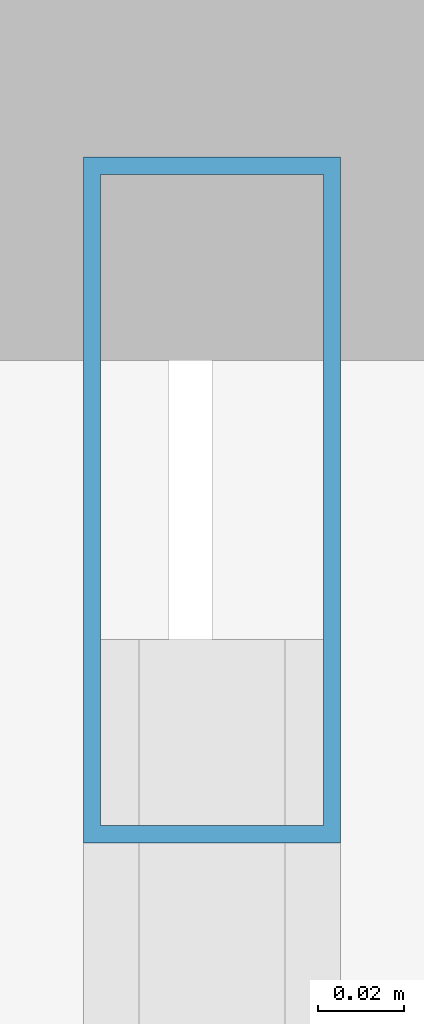
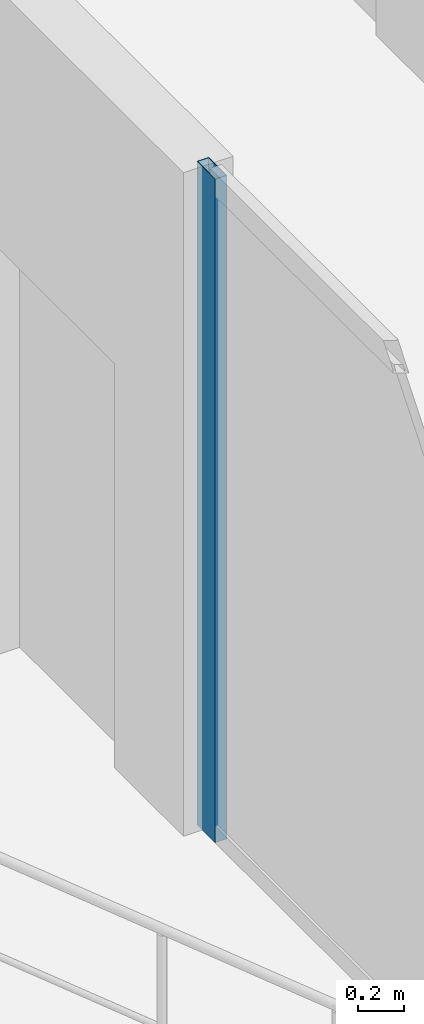
# One storey, part 9 of 17: 1 member, 1 element without a shape of its own.
"""IFC4 building model written with IfcOpenShell, lengths in metres."""

import ifcopenshell
import ifcopenshell.guid

model = None  # the IFC model being written
_history = None  # IfcOwnerHistory: only IFC2X3 demands one
_inside = {}  # id of a spatial element -> (the spatial element, [elements in it])
_under = {}  # id of a project, library or spatial element -> (it, [spatial elements below it])
_declared = {}  # id of a project -> (the project, [libraries it declares])
_typed = {}  # id of a type object -> (the type object, [elements of that type])
_made_of = {}  # id of a material, layer set ... -> (it, [elements and type objects made of it])


def new_model(schema):
    """Start an empty IFC model of exactly this schema.

    Asked for "IFC4X3", IfcOpenShell would pick the latest addendum, in which some entities
    have other attributes; the version numbers below select the first issue.
    IFC2X3 requires an IfcOwnerHistory on every rooted entity: one is made here for all.
    """
    global model, _history
    if schema == "IFC4X3":
        model = ifcopenshell.file(schema_version=(4, 3, 0, 0))
    else:
        model = ifcopenshell.file(schema=schema)
    _inside.clear()
    _under.clear()
    _declared.clear()
    _typed.clear()
    _made_of.clear()
    _history = None
    if model.schema == "IFC2X3":
        org = make("IfcOrganization", Name="unknown")
        user = make(
            "IfcPersonAndOrganization",
            ThePerson=make("IfcPerson", FamilyName="unknown"),
            TheOrganization=org,
        )
        app = make(
            "IfcApplication",
            ApplicationDeveloper=org,
            Version="unknown",
            ApplicationFullName="unknown",
            ApplicationIdentifier="unknown",
        )
        _history = make(
            "IfcOwnerHistory",
            OwningUser=user,
            OwningApplication=app,
            ChangeAction="ADDED",
            CreationDate=0,
        )
    return model


def make(cls, **values):
    """One entity of the class cls with the attributes given. An attribute that is None is left unset."""
    return model.create_entity(
        cls, **{name: value for name, value in values.items() if value is not None}
    )


def rooted(cls, **values):
    """An entity with a GlobalId (a new one), such as an element, a storey or a relation."""
    return make(cls, GlobalId=ifcopenshell.guid.new(), OwnerHistory=_history, **values)


def si_unit(unit_type, name, prefix=None):
    """IfcSIUnit, for example si_unit("LENGTHUNIT", "METRE", prefix="MILLI")."""
    return make("IfcSIUnit", UnitType=unit_type, Prefix=prefix, Name=name)


def assignment(units):
    """IfcUnitAssignment: the units of a project."""
    return None if units is None else make("IfcUnitAssignment", Units=units)


def point(xyz):
    """IfcCartesianPoint."""
    return None if xyz is None else make("IfcCartesianPoint", Coordinates=xyz)


def direction(xyz):
    """IfcDirection."""
    return None if xyz is None else make("IfcDirection", DirectionRatios=xyz)


def frame(location, z_axis=None, x_axis=None):
    """IfcAxis2Placement3D, a coordinate frame: its origin and axes. An axis left out is left unset."""
    return make(
        "IfcAxis2Placement3D",
        Location=point(location),
        Axis=direction(z_axis),
        RefDirection=direction(x_axis),
    )


def frame_2d(location, x_axis=None):
    """IfcAxis2Placement2D, a coordinate frame in the plane: its origin and x axis."""
    return make(
        "IfcAxis2Placement2D", Location=point(location), RefDirection=direction(x_axis)
    )


def origin():
    """The frame at (0, 0, 0) with its axes left unset."""
    return frame((0.0, 0.0, 0.0))


def origin_2d():
    """The frame at (0, 0) in the plane with its x axis left unset."""
    return frame_2d((0.0, 0.0))


def place(relative_to, where):
    """IfcLocalPlacement: puts the frame where relative to a parent placement (None: the world)."""
    return make(
        "IfcLocalPlacement", PlacementRelTo=relative_to, RelativePlacement=where
    )


def context(
    kind, dimensions, precision=None, world=None, true_north=None, identifier=None
):
    """IfcGeometricRepresentationContext, for example the 3D "Model" context."""
    return make(
        "IfcGeometricRepresentationContext",
        ContextIdentifier=identifier,
        ContextType=kind,
        CoordinateSpaceDimension=dimensions,
        Precision=precision,
        WorldCoordinateSystem=world,
        TrueNorth=true_north,
    )


def subcontext(parent, identifier, kind, view, scale=None):
    """IfcGeometricRepresentationSubContext, for example "Body" below "Model"."""
    return make(
        "IfcGeometricRepresentationSubContext",
        ContextIdentifier=identifier,
        ContextType=kind,
        ParentContext=parent,
        TargetScale=scale,
        TargetView=view,
    )


def project(units=None, contexts=None):
    """IfcProject with its units and contexts."""
    return rooted(
        "IfcProject",
        Name="project",
        RepresentationContexts=contexts,
        UnitsInContext=assignment(units),
    )


def spatial(cls, under=None, at=None, **own):
    """A site, building, storey or space (cls), placed at a placement, below another one or the project."""
    s = rooted(cls, ObjectPlacement=at, **own)
    if under is not None:
        _under.setdefault(under.id(), (under, []))[1].append(s)
    return s


def profile(cls, at=None, kind="AREA", **sizes):
    """A parametric profile (cls). Its sizes go by their IFC names, for example OverallWidth=200.0."""
    return make(cls, ProfileType=kind, Position=at, **sizes)


def hollow_rectangle(**sizes):
    """IfcRectangleHollowProfileDef."""
    return profile("IfcRectangleHollowProfileDef", **sizes)


def extrude(swept, where, along, depth):
    """IfcExtrudedAreaSolid: the profile swept, set in the frame where, extruded along a direction by depth."""
    return make(
        "IfcExtrudedAreaSolid",
        SweptArea=swept,
        Position=where,
        ExtrudedDirection=direction(along),
        Depth=depth,
    )


def shape(context_of_items, identifier, shape_type, items):
    """IfcShapeRepresentation: the items that make up one representation, for example the "Body"."""
    return make(
        "IfcShapeRepresentation",
        ContextOfItems=context_of_items,
        RepresentationIdentifier=identifier,
        RepresentationType=shape_type,
        Items=items,
    )


def material(Name=None, Category=None):
    """IfcMaterial."""
    return make("IfcMaterial", Name=Name, Category=Category)


def layer(
    of_material, thickness, ventilated=None, Name=None, Category=None, Priority=None
):
    """IfcMaterialLayer: one layer of a wall or slab, of a material (None: an air gap)."""
    return make(
        "IfcMaterialLayer",
        Material=of_material,
        LayerThickness=thickness,
        IsVentilated=ventilated,
        Name=Name,
        Category=Category,
        Priority=Priority,
    )


def layer_set(layers, Name=None):
    """IfcMaterialLayerSet."""
    return make("IfcMaterialLayerSet", MaterialLayers=layers, LayerSetName=Name)


def material_profile(
    of_material, cross_section, Name=None, Category=None, Priority=None
):
    """IfcMaterialProfile: a cross section and its material."""
    return make(
        "IfcMaterialProfile",
        Name=Name,
        Material=of_material,
        Profile=cross_section,
        Priority=Priority,
        Category=Category,
    )


def profile_set(profiles, Name=None, composite=None):
    """IfcMaterialProfileSet."""
    return make(
        "IfcMaterialProfileSet",
        Name=Name,
        MaterialProfiles=profiles,
        CompositeProfile=composite,
    )


def made_of(thing, what):
    """Note that an element or type object is made of a material, layer set ...; save() writes the relation."""
    if what is not None:
        _made_of.setdefault(what.id(), (what, []))[1].append(thing)
    return thing


def type_object(cls, material=None, **own):
    """A type object (cls), such as IfcWallType, which elements share."""
    return made_of(rooted(cls, **own), material)


def element(
    cls,
    number,
    at=None,
    inside=None,
    cuts=None,
    type_object=None,
    material=None,
    context=None,
    identifier="Body",
    shape_type=None,
    held_by="IfcProductDefinitionShape",
    body=None,
    shapes=None,
    **own,
):
    """One element of the class cls, such as IfcWall. Its Tag is "e" and its number.

    at: its placement. inside: the storey or other place that contains it. cuts: it is an
    opening in that element (IfcRelVoidsElement). A single representation is given by context,
    identifier, shape_type and body (its items); several are given by shapes. held_by: the class
    of the entity that holds the representations. save() writes the other relations.
    """
    e = rooted(cls, Tag="e%d" % number, ObjectPlacement=at, **own)
    if body is not None:
        shapes = [shape(context, identifier, shape_type, body)]
    if shapes is not None:
        e.Representation = make(held_by, Representations=shapes)
    if inside is not None:
        _inside.setdefault(inside.id(), (inside, []))[1].append(e)
    if cuts is not None:
        rooted(
            "IfcRelVoidsElement", RelatingBuildingElement=cuts, RelatedOpeningElement=e
        )
    if type_object is not None:
        _typed.setdefault(type_object.id(), (type_object, []))[1].append(e)
    return made_of(e, material)


def aggregate(whole, parts):
    """IfcRelAggregates: a whole, such as a stair, and the parts it consists of."""
    return rooted("IfcRelAggregates", RelatingObject=whole, RelatedObjects=parts)


def save(model, path):
    """Write the relations noted so far, then the file.

    IfcRelAggregates (storeys below a building ...), IfcRelContainedInSpatialStructure (elements
    in a storey), IfcRelDefinesByType, IfcRelAssociatesMaterial and IfcRelDeclares: one each for
    every whole, place, type object, material and project.
    """
    for whole, parts in _under.values():
        aggregate(whole, parts)
    for where, things in _inside.values():
        rooted(
            "IfcRelContainedInSpatialStructure",
            RelatedElements=things,
            RelatingStructure=where,
        )
    for kind, things in _typed.values():
        rooted("IfcRelDefinesByType", RelatedObjects=things, RelatingType=kind)
    for what, things in _made_of.values():
        rooted("IfcRelAssociatesMaterial", RelatedObjects=things, RelatingMaterial=what)
    for by, libraries in _declared.values():
        rooted("IfcRelDeclares", RelatingContext=by, RelatedDefinitions=libraries)
    model.write(path)


model = new_model("IFC4")

# Units and contexts
model_context = context("Model", 3, precision=1e-05, world=origin(), true_north=direction((0.0, 1.0)))
body_context = subcontext(model_context, "Body", "Model", "MODEL_VIEW")
ifc_project = project(units=[si_unit("LENGTHUNIT", "METRE"), si_unit("AREAUNIT", "SQUARE_METRE"), si_unit("VOLUMEUNIT", "CUBIC_METRE"), si_unit("PLANEANGLEUNIT", "RADIAN"), si_unit("MASSUNIT", "GRAM", prefix="KILO")], contexts=[model_context])

# Site, building, storey
site_placement = place(None, origin())
site = spatial("IfcSite", under=ifc_project, at=site_placement, CompositionType="ELEMENT")
building_placement = place(site_placement, origin())
building = spatial("IfcBuilding", under=site, at=building_placement, Name="Catumbela Crestline Tower", CompositionType="ELEMENT")
storey_placement = place(building_placement, frame((0.0, 0.0, 283.0)))
storey = spatial("IfcBuildingStorey", under=building, at=storey_placement, Name="L73", CompositionType="ELEMENT", Elevation=283.0)

# Curtain wall, member
ifc_material = material(Name="Aluminium alloy AW-6060-T66", Category="aluminium")
ifc_layer = layer(ifc_material, 0.18, Name="Aluminium alloy AW-6060-T66")
ifc_layer_set = layer_set([ifc_layer], Name="Aluminium alloy AW-6060-T66")
curtain_wall_type = type_object("IfcCurtainWallType", Name="CWU-Z4", PredefinedType="USERDEFINED", material=ifc_layer_set)
curtain_wall_placement = place(storey_placement, origin())
curtain_wall = element("IfcCurtainWall", 1, at=curtain_wall_placement, inside=storey, type_object=curtain_wall_type, Name="L73 Unitised Curtain Wall CW-L73-E9S2", ObjectType="UNITISED", PredefinedType="USERDEFINED")
ifc_material_profile = material_profile(ifc_material, hollow_rectangle(XDim=0.06, YDim=0.16, WallThickness=0.004, at=origin_2d()), Name="ALU 160x60x4")
ifc_profile_set = profile_set([ifc_material_profile], Name="Aluminium alloy AW-6060-T66")
member_type = type_object("IfcMemberType", Name="MUL-160X60", PredefinedType="MULLION", material=ifc_profile_set)
member_placement = place(storey_placement, frame((9.2, 34.5675, 0.0), z_axis=(0.0, 0.0, 1.0), x_axis=(1.0, 0.0, 0.0)))
member = element("IfcMember", 2, at=member_placement, type_object=member_type, Name="CWU-Z4 mullion 1", PredefinedType="MULLION", context=body_context, shape_type="SweptSolid", body=[
    extrude(hollow_rectangle(XDim=0.06, YDim=0.16, WallThickness=0.004, at=origin_2d()), origin(), (0.0, 0.0, 1.0), 3.53),
])
aggregate(curtain_wall, [member])

save(model, "model.ifc")
